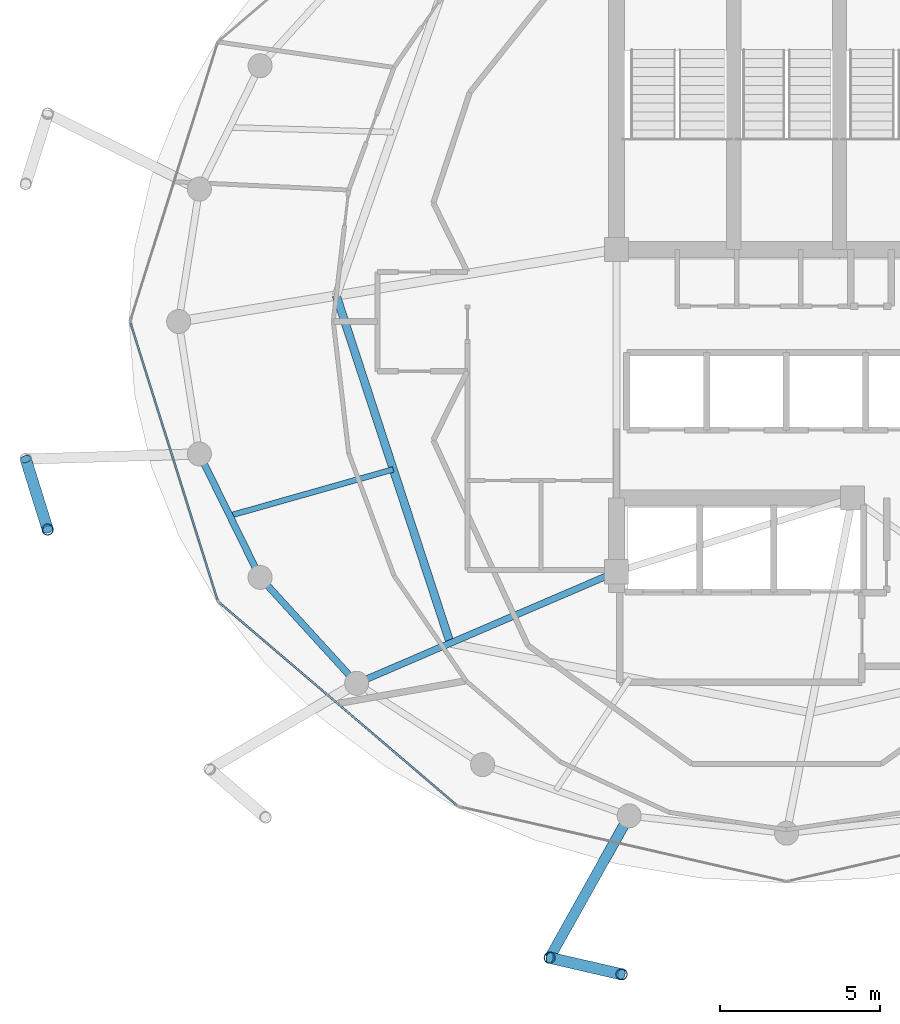
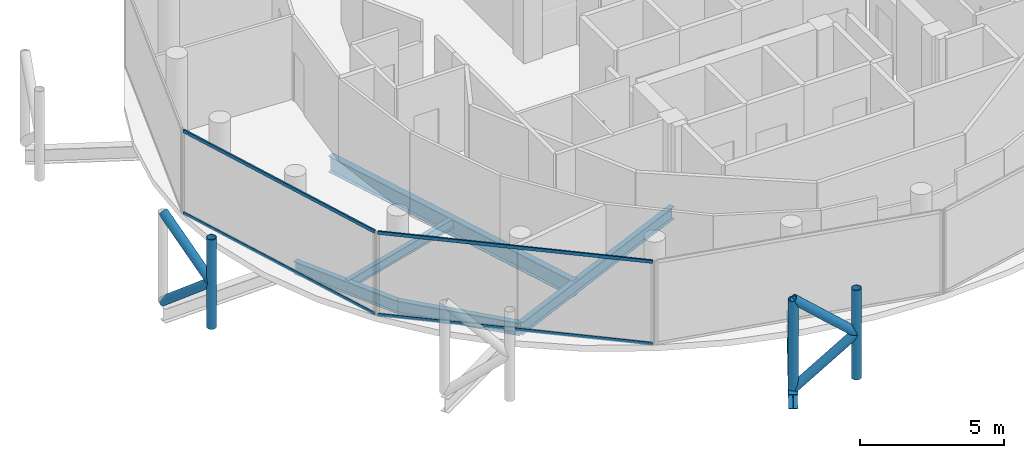
# One storey, part 3 of 24: 11 members, 6 beams, 2 elements without a shape of their own.
"""IFC4 building model written with IfcOpenShell, lengths in metres."""

from ifc_helpers import new_model, si_unit, direction, frame, origin, origin_2d, place, context, subcontext, project, spatial, hollow_rectangle, hollow_circle, i_section, extrude, material, layer, layer_set, material_profile, profile_set, type_object, element, aggregate, save


model = new_model("IFC4")

# Units and contexts
model_context = context("Model", 3, precision=1e-05, world=origin(), true_north=direction((0.0, 1.0)))
body_context = subcontext(model_context, "Body", "Model", "MODEL_VIEW")
ifc_project = project(units=[si_unit("LENGTHUNIT", "METRE"), si_unit("AREAUNIT", "SQUARE_METRE"), si_unit("VOLUMEUNIT", "CUBIC_METRE"), si_unit("PLANEANGLEUNIT", "RADIAN"), si_unit("MASSUNIT", "GRAM", prefix="KILO")], contexts=[model_context])

# Site, building, storey
site_placement = place(None, origin())
site = spatial("IfcSite", under=ifc_project, at=site_placement, CompositionType="ELEMENT")
building_placement = place(site_placement, origin())
building = spatial("IfcBuilding", under=site, at=building_placement, Name="Nuhasar Tower", CompositionType="ELEMENT")
storey_placement = place(building_placement, frame((0.0, 0.0, 259.39990234375)))
storey = spatial("IfcBuildingStorey", under=building, at=storey_placement, Name="L64", CompositionType="ELEMENT", Elevation=259.39990234375)

# Beams
ifc_material_1 = material(Name="Steel S355", Category="steel")
ifc_material_profile_1 = material_profile(ifc_material_1, i_section(OverallWidth=0.25390625, OverallDepth=0.68408203125, WebThickness=0.012451171875, FlangeThickness=0.018798828125, at=origin_2d()), Name="W27X94")
ifc_profile_set_1 = profile_set([ifc_material_profile_1], Name="Steel S355")
beam_type_1 = type_object("IfcBeamType", Name="BM-INRING-W27X94", PredefinedType="BEAM", material=ifc_profile_set_1)
beam_1_placement = place(storey_placement, frame((24.964111328125, 27.610107421875, -0.601806640625), z_axis=(0.311483801376, -0.950251462235, 0.0), x_axis=(0.950251462235, 0.311483801376, 0.0)))
element("IfcBeam", 1, at=beam_1_placement, inside=storey, type_object=beam_type_1, Name="L64 Inner Header Beam 08", PredefinedType="BEAM", context=body_context, shape_type="SweptSolid", body=[
    extrude(i_section(OverallWidth=0.25390625, OverallDepth=0.68408203125, WebThickness=0.012451171875, FlangeThickness=0.018798828125, at=origin_2d()), origin(), (0.0, 0.0, 1.0), 11.403564453125),
])
ifc_material_profile_2 = material_profile(ifc_material_1, i_section(OverallWidth=0.177978515625, OverallDepth=0.406005859375, WebThickness=0.0078125, FlangeThickness=0.0126953125, at=origin_2d()), Name="W16X40")
ifc_profile_set_2 = profile_set([ifc_material_profile_2], Name="Steel S355")
beam_type_2 = type_object("IfcBeamType", Name="BM-JST-W16X40", PredefinedType="JOIST", material=ifc_profile_set_2)
beam_2_placement = place(storey_placement, frame((26.739990234375, 22.19189453125, -0.462890625), z_axis=(-0.962154316042, -0.272505178156, 0.0), x_axis=(0.272505178156, -0.962154316042, 0.0)))
element("IfcBeam", 2, at=beam_2_placement, inside=storey, type_object=beam_type_2, Name="L64 Secondary Floor Joist 08", PredefinedType="JOIST", context=body_context, shape_type="SweptSolid", body=[
    extrude(i_section(OverallWidth=0.177978515625, OverallDepth=0.406005859375, WebThickness=0.0078125, FlangeThickness=0.0126953125, at=origin_2d()), origin(), (0.0, 0.0, 1.0), 5.29833984375),
])
ifc_material_profile_3 = material_profile(ifc_material_1, i_section(OverallWidth=0.208984375, OverallDepth=0.528076171875, WebThickness=0.009521484375, FlangeThickness=0.01318359375, at=origin_2d()), Name="W21X55")
ifc_profile_set_3 = profile_set([ifc_material_profile_3], Name="Steel S355")
beam_type_3 = type_object("IfcBeamType", Name="BM-RAD-W21X55", PredefinedType="BEAM", material=ifc_profile_set_3)
beam_3_placement = place(storey_placement, frame((33.699951171875, 19.0, -0.52392578125), z_axis=(-0.91887119061, -0.394557644797, 0.0), x_axis=(0.394557644797, -0.91887119061, 0.0)))
element("IfcBeam", 3, at=beam_3_placement, inside=storey, type_object=beam_type_3, Name="L64 Radial Floor Girder 01", PredefinedType="BEAM", context=body_context, shape_type="SweptSolid", body=[
    extrude(i_section(OverallWidth=0.208984375, OverallDepth=0.528076171875, WebThickness=0.009521484375, FlangeThickness=0.01318359375, at=origin_2d()), origin(), (0.0, 0.0, 1.0), 8.81494140625),
])
ifc_material_profile_4 = material_profile(ifc_material_1, i_section(OverallWidth=0.2099609375, OverallDepth=0.537109375, WebThickness=0.010986328125, FlangeThickness=0.017333984375, at=origin_2d()), Name="W21X68")
ifc_profile_set_4 = profile_set([ifc_material_profile_4], Name="Steel S355")
beam_type_4 = type_object("IfcBeamType", Name="BM-RING-W21X68", PredefinedType="SPANDREL", material=ifc_profile_set_4)
beam_4_placement = place(storey_placement, frame((20.696044921875, 22.672119140625, -0.52880859375), z_axis=(0.441510561726, -0.897256052576, 0.0), x_axis=(0.897256052576, 0.441510561726, 0.0)))
element("IfcBeam", 4, at=beam_4_placement, inside=storey, type_object=beam_type_4, Name="L64 Perimeter Ring Spandrel 14", PredefinedType="SPANDREL", context=body_context, shape_type="SweptSolid", body=[
    extrude(i_section(OverallWidth=0.2099609375, OverallDepth=0.537109375, WebThickness=0.010986328125, FlangeThickness=0.017333984375, at=origin_2d()), origin(), (0.0, 0.0, 1.0), 4.28759765625),
])
beam_5_placement = place(storey_placement, frame((22.589111328125, 18.824951171875, -0.52880859375), z_axis=(0.673686302939, -0.739017432293, 0.0), x_axis=(0.739017432293, 0.673686302939, 0.0)))
element("IfcBeam", 5, at=beam_5_placement, inside=storey, type_object=beam_type_4, Name="L64 Perimeter Ring Spandrel 15", PredefinedType="SPANDREL", context=body_context, shape_type="SweptSolid", body=[
    extrude(i_section(OverallWidth=0.2099609375, OverallDepth=0.537109375, WebThickness=0.010986328125, FlangeThickness=0.017333984375, at=origin_2d()), origin(), (0.0, 0.0, 1.0), 4.469482421875),
])
ifc_material_profile_5 = material_profile(ifc_material_1, i_section(OverallWidth=0.323974609375, OverallDepth=0.611083984375, WebThickness=0.0126953125, FlangeThickness=0.01904296875, at=origin_2d()), Name="W24X104")
ifc_profile_set_5 = profile_set([ifc_material_profile_5], Name="Steel S355")
beam_type_5 = type_object("IfcBeamType", Name="BM-TIE-W24X104", PredefinedType="BEAM", material=ifc_profile_set_5)
beam_6_placement = place(storey_placement, frame((34.094970703125, 11.39306640625, -0.56591796875), z_axis=(-0.488667847762, -0.872469904675, 0.0), x_axis=(0.872469904675, -0.488667847762, 0.0)))
element("IfcBeam", 6, at=beam_6_placement, inside=storey, type_object=beam_type_5, Name="L64 Exoskeleton Node Tie Beam 09", PredefinedType="BEAM", context=body_context, shape_type="SweptSolid", body=[
    extrude(i_section(OverallWidth=0.323974609375, OverallDepth=0.611083984375, WebThickness=0.0126953125, FlangeThickness=0.01904296875, at=origin_2d()), origin(), (0.0, 0.0, 1.0), 5.072998046875),
])

# Curtain wall, members
ifc_material_2 = material(Name="Aluminium 6063-T6", Category="aluminium")
ifc_layer = layer(ifc_material_2, 0.18994140625)
ifc_layer_set = layer_set([ifc_layer], Name="Aluminium 6063-T6")
curtain_wall_type = type_object("IfcCurtainWallType", Name="CW-Z4-PEN", PredefinedType="NOTDEFINED", material=ifc_layer_set)
curtain_wall_1_placement = place(storey_placement, origin())
curtain_wall_1 = element("IfcCurtainWall", 7, at=curtain_wall_1_placement, inside=storey, type_object=curtain_wall_type, Name="L64 Unitised Curtain Wall 07", PredefinedType="NOTDEFINED")
ifc_material_profile_6 = material_profile(ifc_material_2, hollow_rectangle(XDim=0.06005859375, YDim=0.135009765625, WallThickness=0.00439453125, at=origin_2d()), Name="CWT-5")
ifc_profile_set_6 = profile_set([ifc_material_profile_6], Name="Aluminium 6063-T6")
member_type_1 = type_object("IfcMemberType", Name="CW-TRN-S5", PredefinedType="USERDEFINED", material=ifc_profile_set_6)
member_1_placement = place(storey_placement, frame((18.557861328125, 26.74267578125, 0.030029296875), z_axis=(0.29956014073, -0.954077419335, 0.0), x_axis=(0.954077419335, 0.29956014073, 0.0)))
member_1 = element("IfcMember", 8, at=member_1_placement, type_object=member_type_1, Name="CW-Z4 transom 1.1", ObjectType="TRANSOM", PredefinedType="USERDEFINED", context=body_context, shape_type="SweptSolid", body=[
    extrude(hollow_rectangle(XDim=0.06005859375, YDim=0.135009765625, WallThickness=0.00439453125, at=origin_2d()), origin(), (0.0, 0.0, 1.0), 9.0302734375),
])
member_2_placement = place(storey_placement, frame((18.557861328125, 26.74267578125, 3.510009765625), z_axis=(0.29956014073, -0.954077419335, 0.0), x_axis=(0.954077419335, 0.29956014073, 0.0)))
member_2 = element("IfcMember", 9, at=member_2_placement, type_object=member_type_1, Name="CW-Z4 transom 1.2", ObjectType="TRANSOM", PredefinedType="USERDEFINED", context=body_context, shape_type="SweptSolid", body=[
    extrude(hollow_rectangle(XDim=0.06005859375, YDim=0.135009765625, WallThickness=0.00439453125, at=origin_2d()), origin(), (0.0, 0.0, 1.0), 9.0302734375),
])
aggregate(curtain_wall_1, [member_1, member_2])

curtain_wall_2_placement = place(storey_placement, origin())
curtain_wall_2 = element("IfcCurtainWall", 10, at=curtain_wall_2_placement, inside=storey, type_object=curtain_wall_type, Name="L64 Unitised Curtain Wall 08", PredefinedType="NOTDEFINED")
member_3_placement = place(storey_placement, frame((21.32666015625, 18.031005859375, 0.030029296875), z_axis=(0.760672431431, -0.649135927261, 0.0), x_axis=(0.649135927261, 0.760672431431, 0.0)))
member_3 = element("IfcMember", 11, at=member_3_placement, type_object=member_type_1, Name="CW-Z4 transom 1.1", ObjectType="TRANSOM", PredefinedType="USERDEFINED", context=body_context, shape_type="SweptSolid", body=[
    extrude(hollow_rectangle(XDim=0.06005859375, YDim=0.135009765625, WallThickness=0.00439453125, at=origin_2d()), origin(), (0.0, 0.0, 1.0), 9.72509765625),
])
member_4_placement = place(storey_placement, frame((21.32666015625, 18.031005859375, 3.510009765625), z_axis=(0.760672431431, -0.649135927261, 0.0), x_axis=(0.649135927261, 0.760672431431, 0.0)))
member_4 = element("IfcMember", 12, at=member_4_placement, type_object=member_type_1, Name="CW-Z4 transom 1.2", ObjectType="TRANSOM", PredefinedType="USERDEFINED", context=body_context, shape_type="SweptSolid", body=[
    extrude(hollow_rectangle(XDim=0.06005859375, YDim=0.135009765625, WallThickness=0.00439453125, at=origin_2d()), origin(), (0.0, 0.0, 1.0), 9.72509765625),
])
aggregate(curtain_wall_2, [member_3, member_4])

# Members
ifc_material_3 = material(Name="Steel S460", Category="steel")
ifc_material_profile_7 = material_profile(ifc_material_3, hollow_circle(Radius=0.177734375, WallThickness=0.015869140625, at=origin_2d()), Name="HSS355.6X15.9")
ifc_profile_set_7 = profile_set([ifc_material_profile_7], Name="Steel S460")
member_type_2 = type_object("IfcMemberType", Name="EXO-BRONZE-356", PredefinedType="BRACE", material=ifc_profile_set_7)
for number, where, z_axis, x_axis, name in (
    (13, (15.967041015625, 20.319091796875, 0.0), (0.0, 0.0, 1.0), (1.0, 0.0, 0.0), "L64 Exoskeleton Chord Column EC-07B"),
    (14, (31.615966796875, 6.967041015625, 0.0), (0.0, 0.0, 1.0), (1.0, 0.0, 0.0), "L64 Exoskeleton Chord Column EC-09A"),
    (15, (33.85693359375, 6.450927734375, 0.0), (0.0, 0.0, 1.0), (1.0, 0.0, 0.0), "L64 Exoskeleton Chord Column EC-09B"),
):
    element("IfcMember", number, at=place(storey_placement, frame(where, z_axis=z_axis, x_axis=x_axis)), inside=storey, type_object=member_type_2, Name=name, PredefinedType="BRACE", context=body_context, shape_type="SweptSolid", body=[
        extrude(hollow_circle(Radius=0.177734375, WallThickness=0.015869140625, at=origin_2d()), origin(), (0.0, 0.0, 1.0), 3.800048828125),
    ])
member_5_placement = place(storey_placement, frame((15.281982421875, 22.513916015625, 0.0), z_axis=(0.229669386127, -0.73582600901, 0.637033796232), x_axis=(0.954581948223, 0.297948492404, 0.0)))
element("IfcMember", 16, at=member_5_placement, inside=storey, type_object=member_type_2, Name="L64 Bronze Diagrid Brace W1-07", PredefinedType="BRACE", context=body_context, shape_type="SweptSolid", body=[
    extrude(hollow_circle(Radius=0.177734375, WallThickness=0.015869140625, at=origin_2d()), origin(), (0.0, 0.0, 1.0), 2.98291015625),
])
member_6_placement = place(storey_placement, frame((15.967041015625, 20.319091796875, 1.900146484375), z_axis=(-0.229681361446, 0.735864376122, 0.636985158507), x_axis=(-0.954581948223, -0.297948492404, 0.0)))
element("IfcMember", 17, at=member_6_placement, inside=storey, type_object=member_type_2, Name="L64 Bronze Diagrid Brace W2-07", PredefinedType="BRACE", context=body_context, shape_type="SweptSolid", body=[
    extrude(hollow_circle(Radius=0.177734375, WallThickness=0.015869140625, at=origin_2d()), origin(), (0.0, 0.0, 1.0), 2.982666015625),
])
member_7_placement = place(storey_placement, frame((31.615966796875, 6.967041015625, 0.0), z_axis=(0.751221815951, -0.173012628709, 0.636971281571), x_axis=(0.224433035437, 0.97448951385, 0.0)))
element("IfcMember", 18, at=member_7_placement, inside=storey, type_object=member_type_2, Name="L64 Bronze Diagrid Brace W1-09", PredefinedType="BRACE", context=body_context, shape_type="SweptSolid", body=[
    extrude(hollow_circle(Radius=0.177734375, WallThickness=0.015869140625, at=origin_2d()), origin(), (0.0, 0.0, 1.0), 2.983154296875),
])
member_8_placement = place(storey_placement, frame((33.85693359375, 6.450927734375, 1.900146484375), z_axis=(-0.751260978137, 0.173021648086, 0.636922642103), x_axis=(-0.224433035437, -0.97448951385, 0.0)))
element("IfcMember", 19, at=member_8_placement, inside=storey, type_object=member_type_2, Name="L64 Bronze Diagrid Brace W2-09", PredefinedType="BRACE", context=body_context, shape_type="SweptSolid", body=[
    extrude(hollow_circle(Radius=0.177734375, WallThickness=0.015869140625, at=origin_2d()), origin(), (0.0, 0.0, 1.0), 2.98291015625),
])

save(model, "model.ifc")
